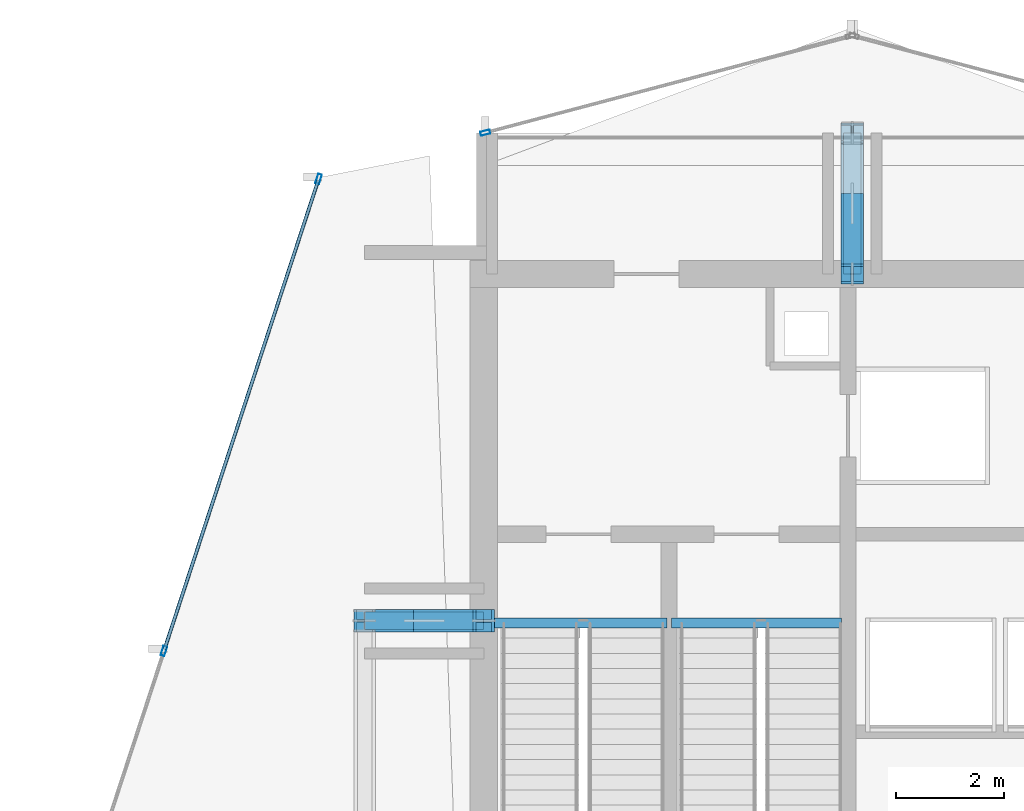
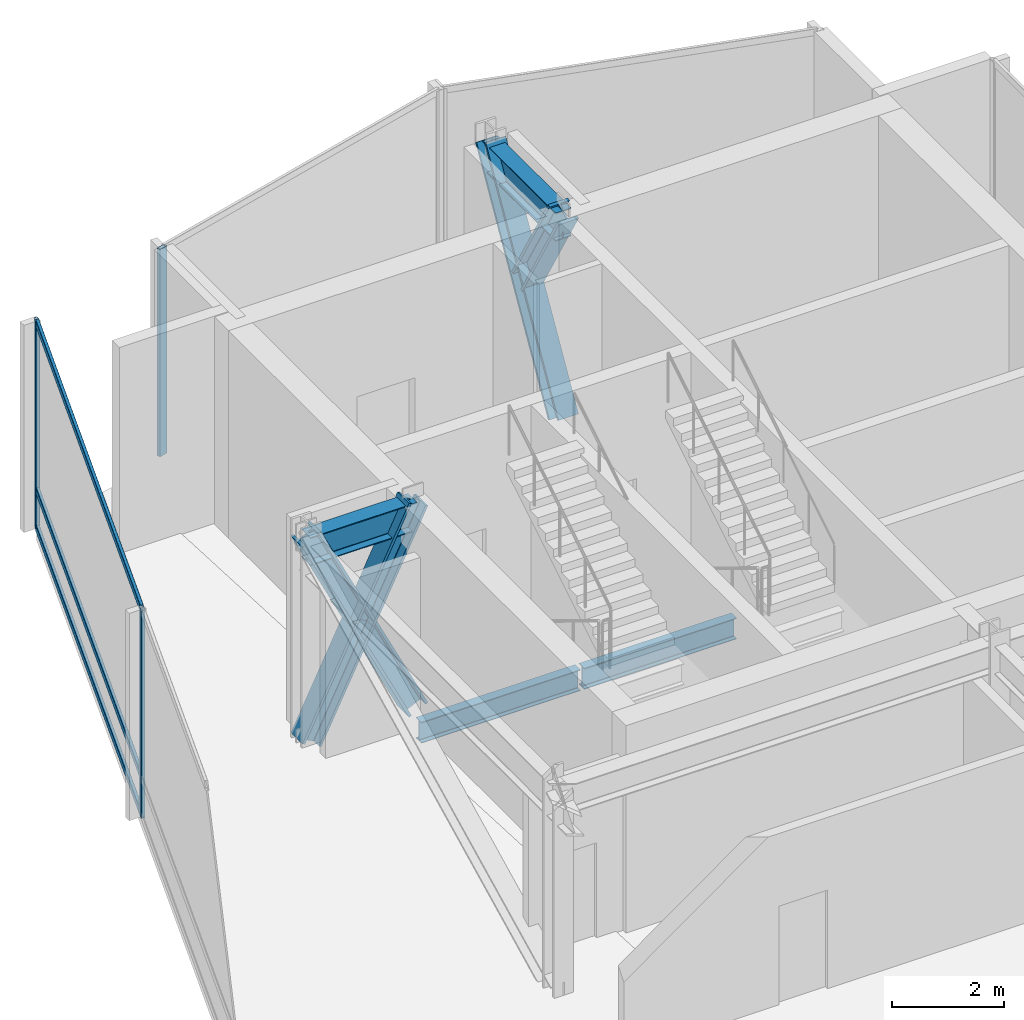
# One storey, part 15 of 30: 11 members, 4 beams, 2 elements without a shape of their own.
"""IFC4 building model written with IfcOpenShell, lengths in metres."""

from ifc_helpers import new_model, si_unit, direction, frame, origin, origin_2d, place, context, subcontext, project, spatial, hollow_rectangle, i_section, extrude, material, layer, layer_set, material_profile, profile_set, type_object, element, aggregate, save


model = new_model("IFC4")

# Units and contexts
model_context = context("Model", 3, precision=1e-05, world=origin(), true_north=direction((0.0, 1.0)))
body_context = subcontext(model_context, "Body", "Model", "MODEL_VIEW")
ifc_project = project(units=[si_unit("LENGTHUNIT", "METRE"), si_unit("AREAUNIT", "SQUARE_METRE"), si_unit("VOLUMEUNIT", "CUBIC_METRE"), si_unit("PLANEANGLEUNIT", "RADIAN"), si_unit("MASSUNIT", "GRAM", prefix="KILO")], contexts=[model_context])

# Site, building, storey
site_placement = place(None, origin())
site = spatial("IfcSite", under=ifc_project, at=site_placement, CompositionType="ELEMENT")
building_placement = place(site_placement, origin())
building = spatial("IfcBuilding", under=site, at=building_placement, Name="Solvaryn Broadcast Tower", CompositionType="ELEMENT")
storey_placement = place(building_placement, frame((0.0, 0.0, 196.39990234375)))
storey = spatial("IfcBuildingStorey", under=building, at=storey_placement, Name="L49", CompositionType="ELEMENT", Elevation=196.39990234375)

# Beams
ifc_material_1 = material(Name="Steel ASTM A992 Grade 50", Category="steel")
ifc_material_profile_1 = material_profile(ifc_material_1, i_section(OverallWidth=0.323974609375, OverallDepth=0.611083984375, WebThickness=0.0126953125, FlangeThickness=0.01904296875, FilletRadius=0.014892578125, at=origin_2d()))
ifc_profile_set_1 = profile_set([ifc_material_profile_1], Name="Steel ASTM A992 Grade 50")
beam_type_1 = type_object("IfcBeamType", Name="BM-B1-W24X104", PredefinedType="BEAM", material=ifc_profile_set_1)
beam_1_placement = place(storey_placement, frame((9.0, 36.0, 4.214599609375), z_axis=(1.0, 0.0, 0.0), x_axis=(0.0, 1.0, 0.0)))
element("IfcBeam", 1, at=beam_1_placement, inside=storey, type_object=beam_type_1, Name="L49 Core Tie Beam CTW1", PredefinedType="BEAM", context=body_context, shape_type="SweptSolid", body=[
    extrude(i_section(OverallWidth=0.323974609375, OverallDepth=0.611083984375, WebThickness=0.0126953125, FlangeThickness=0.01904296875, FilletRadius=0.014892578125, at=origin_2d()), origin(), (0.0, 0.0, 1.0), 2.199951171875),
])
beam_2_placement = place(storey_placement, frame((18.0, 42.39990234375, 4.214599609375), z_axis=(0.0, 1.0, 0.0), x_axis=(-1.0, 0.0, 0.0)))
element("IfcBeam", 2, at=beam_2_placement, inside=storey, type_object=beam_type_1, Name="L49 Core Tie Beam CTW3", PredefinedType="BEAM", context=body_context, shape_type="SweptSolid", body=[
    extrude(i_section(OverallWidth=0.323974609375, OverallDepth=0.611083984375, WebThickness=0.0126953125, FlangeThickness=0.01904296875, FilletRadius=0.014892578125, at=origin_2d()), origin(), (0.0, 0.0, 1.0), 2.60009765625),
])
ifc_material_2 = material(Name="Steel ASTM A992 Grade 50", Category="steel")
ifc_material_profile_2 = material_profile(ifc_material_2, i_section(OverallWidth=0.18994140625, OverallDepth=0.45703125, WebThickness=0.009033203125, FlangeThickness=0.014404296875, FilletRadius=0.011962890625, at=origin_2d()))
ifc_profile_set_2 = profile_set([ifc_material_profile_2], Name="Steel ASTM A992 Grade 50")
beam_type_2 = type_object("IfcBeamType", Name="BM-B4-W18X50", PredefinedType="BEAM", material=ifc_profile_set_2)
beam_3_placement = place(storey_placement, frame((11.300048828125, 35.9599609375, -0.558349609375), z_axis=(1.0, 0.0, 0.0), x_axis=(0.0, 1.0, 0.0)))
element("IfcBeam", 3, at=beam_3_placement, inside=storey, type_object=beam_type_2, Name="L49 ST1 Stair Well Trimmer Beam", PredefinedType="BEAM", context=body_context, shape_type="SweptSolid", body=[
    extrude(i_section(OverallWidth=0.18994140625, OverallDepth=0.45703125, WebThickness=0.009033203125, FlangeThickness=0.014404296875, FilletRadius=0.011962890625, at=origin_2d()), origin(), (0.0, 0.0, 1.0), 3.280029296875),
])
beam_4_placement = place(storey_placement, frame((14.659912109375, 35.9599609375, -0.558349609375), z_axis=(1.0, 0.0, 0.0), x_axis=(0.0, 1.0, 0.0)))
element("IfcBeam", 4, at=beam_4_placement, inside=storey, type_object=beam_type_2, Name="L49 ST2 Stair Well Trimmer Beam", PredefinedType="BEAM", context=body_context, shape_type="SweptSolid", body=[
    extrude(i_section(OverallWidth=0.18994140625, OverallDepth=0.45703125, WebThickness=0.009033203125, FlangeThickness=0.014404296875, FilletRadius=0.011962890625, at=origin_2d()), origin(), (0.0, 0.0, 1.0), 3.14013671875),
])

# Curtain wall, members
ifc_material_3 = material(Name="Aluminium and Terracotta Unitised Curtain Wall", Category="masonry")
ifc_layer = layer(ifc_material_3, 0.199951171875)
ifc_layer_set = layer_set([ifc_layer], Name="CW-SYS2-LOWMID")
curtain_wall_type = type_object("IfcCurtainWallType", Name="CW-SYS2-LOWMID", PredefinedType="NOTDEFINED", material=ifc_layer_set)
curtain_wall_1_placement = place(storey_placement, origin())
curtain_wall_1 = element("IfcCurtainWall", 5, at=curtain_wall_1_placement, inside=storey, type_object=curtain_wall_type, Name="L49 Curtain Wall DR1", PredefinedType="NOTDEFINED")
ifc_material_4 = material(Name="Anodised Aluminium 6063-T6", Category="aluminium")
ifc_material_profile_3 = material_profile(ifc_material_4, hollow_rectangle(XDim=0.074951171875, YDim=0.179931640625, WallThickness=0.00390625, InnerFilletRadius=0.00390625, OuterFilletRadius=0.008056640625, at=origin_2d()))
ifc_profile_set_3 = profile_set([ifc_material_profile_3], Name="Anodised Aluminium 6063-T6")
member_type_1 = type_object("IfcMemberType", Name="CW-MUL-180", PredefinedType="MULLION", material=ifc_profile_set_3)
member_1_placement = place(storey_placement, frame((8.153564453125, 44.153564453125, 0.0), z_axis=(0.0, 0.0, 1.0), x_axis=(0.950226902099, -0.311558717623, 0.0)))
member_1 = element("IfcMember", 6, at=member_1_placement, type_object=member_type_1, Name="CWS2 mullion 1", PredefinedType="MULLION", context=body_context, shape_type="SweptSolid", body=[
    extrude(hollow_rectangle(XDim=0.074951171875, YDim=0.179931640625, WallThickness=0.00390625, InnerFilletRadius=0.00390625, OuterFilletRadius=0.008056640625, at=origin_2d()), origin(), (0.0, 0.0, 1.0), 4.52001953125),
])
member_2_placement = place(storey_placement, frame((5.298095703125, 35.444091796875, 0.0), z_axis=(0.0, 0.0, 1.0), x_axis=(0.950226902099, -0.311558717623, 0.0)))
member_2 = element("IfcMember", 7, at=member_2_placement, type_object=member_type_1, Name="CWS2 mullion 2", PredefinedType="MULLION", context=body_context, shape_type="SweptSolid", body=[
    extrude(hollow_rectangle(XDim=0.074951171875, YDim=0.179931640625, WallThickness=0.00390625, InnerFilletRadius=0.00390625, OuterFilletRadius=0.008056640625, at=origin_2d()), origin(), (0.0, 0.0, 1.0), 4.52001953125),
])

# Curtain wall, member
curtain_wall_2_placement = place(storey_placement, origin())
curtain_wall_2 = element("IfcCurtainWall", 8, at=curtain_wall_2_placement, inside=storey, type_object=curtain_wall_type, Name="L49 Curtain Wall NT2", PredefinedType="NOTDEFINED")
member_3_placement = place(storey_placement, frame((11.22900390625, 45.007568359375, 0.0), z_axis=(0.0, 0.0, 1.0), x_axis=(0.25589256031, -0.966705227863, 0.0)))
member_3 = element("IfcMember", 9, at=member_3_placement, type_object=member_type_1, Name="CWS2 mullion 2", PredefinedType="MULLION", context=body_context, shape_type="SweptSolid", body=[
    extrude(hollow_rectangle(XDim=0.074951171875, YDim=0.179931640625, WallThickness=0.00390625, InnerFilletRadius=0.00390625, OuterFilletRadius=0.008056640625, at=origin_2d()), origin(), (0.0, 0.0, 1.0), 4.52001953125),
])
aggregate(curtain_wall_2, [member_3])

# Member
ifc_material_5 = material(Name="Anodised Aluminium 6063-T6", Category="aluminium")
ifc_material_profile_4 = material_profile(ifc_material_5, hollow_rectangle(XDim=0.06494140625, YDim=0.14990234375, WallThickness=0.00390625, InnerFilletRadius=0.00390625, OuterFilletRadius=0.008056640625, at=origin_2d()))
ifc_profile_set_4 = profile_set([ifc_material_profile_4], Name="Anodised Aluminium 6063-T6")
member_type_2 = type_object("IfcMemberType", Name="CW-TRN-150", PredefinedType="USERDEFINED", material=ifc_profile_set_4)
member_4_placement = place(storey_placement, frame((8.144287109375, 44.125, 0.030029296875), z_axis=(-0.311550669172, -0.950229540973, 0.0), x_axis=(0.950229540973, -0.311550669172, 0.0)))
member_4 = element("IfcMember", 10, at=member_4_placement, type_object=member_type_2, Name="CWS2 transom 1.1", ObjectType="TRANSOM", PredefinedType="USERDEFINED", context=body_context, shape_type="SweptSolid", body=[
    extrude(hollow_rectangle(XDim=0.06494140625, YDim=0.14990234375, WallThickness=0.00390625, InnerFilletRadius=0.00390625, OuterFilletRadius=0.008056640625, at=origin_2d()), origin(), (0.0, 0.0, 1.0), 9.105712890625),
])

member_5_placement = place(storey_placement, frame((8.144287109375, 44.125, 0.85009765625), z_axis=(-0.311550669172, -0.950229540973, 0.0), x_axis=(0.950229540973, -0.311550669172, 0.0)))
member_5 = element("IfcMember", 11, at=member_5_placement, type_object=member_type_2, Name="CWS2 transom 1.2", ObjectType="TRANSOM", PredefinedType="USERDEFINED", context=body_context, shape_type="SweptSolid", body=[
    extrude(hollow_rectangle(XDim=0.06494140625, YDim=0.14990234375, WallThickness=0.00390625, InnerFilletRadius=0.00390625, OuterFilletRadius=0.008056640625, at=origin_2d()), origin(), (0.0, 0.0, 1.0), 9.105712890625),
])

member_6_placement = place(storey_placement, frame((8.144287109375, 44.125, 4.489990234375), z_axis=(-0.311550669172, -0.950229540973, 0.0), x_axis=(0.950229540973, -0.311550669172, 0.0)))
member_6 = element("IfcMember", 12, at=member_6_placement, type_object=member_type_2, Name="CWS2 transom 1.3", ObjectType="TRANSOM", PredefinedType="USERDEFINED", context=body_context, shape_type="SweptSolid", body=[
    extrude(hollow_rectangle(XDim=0.06494140625, YDim=0.14990234375, WallThickness=0.00390625, InnerFilletRadius=0.00390625, OuterFilletRadius=0.008056640625, at=origin_2d()), origin(), (0.0, 0.0, 1.0), 9.105712890625),
])

aggregate(curtain_wall_1, [member_1, member_2, member_4, member_5, member_6])

# Members
ifc_material_6 = material(Name="Steel ASTM A913 Grade 65", Category="steel")
ifc_material_profile_5 = material_profile(ifc_material_6, i_section(OverallWidth=0.412109375, OverallDepth=0.43505859375, WebThickness=0.035888671875, FlangeThickness=0.057373046875, FilletRadius=0.014892578125, at=origin_2d()))
ifc_profile_set_5 = profile_set([ifc_material_profile_5], Name="Steel ASTM A913 Grade 65")
member_type_3 = type_object("IfcMemberType", Name="MB-OUTRIGGER-2", PredefinedType="BRACE", material=ifc_profile_set_5)
member_7_placement = place(storey_placement, frame((11.199951171875, 36.0, 0.02001953125), z_axis=(-0.440784271702, 0.0, 0.897613071328), x_axis=(0.0, -1.0, 0.0)))
element("IfcMember", 13, at=member_7_placement, inside=storey, type_object=member_type_3, Name="L49 Outrigger X-Brace W Continuous Diagonal", PredefinedType="BRACE", context=body_context, shape_type="SweptSolid", body=[
    extrude(i_section(OverallWidth=0.412109375, OverallDepth=0.43505859375, WebThickness=0.035888671875, FlangeThickness=0.057373046875, FilletRadius=0.014892578125, at=origin_2d()), origin(), (0.0, 0.0, 1.0), 4.990966796875),
])
member_8_placement = place(storey_placement, frame((11.199951171875, 36.0, 4.5), z_axis=(-0.440744858159, 0.0, -0.897632424774), x_axis=(0.0, -1.0, 0.0)))
element("IfcMember", 14, at=member_8_placement, inside=storey, type_object=member_type_3, Name="L49 Outrigger X-Brace W Split Diagonal Lower", PredefinedType="BRACE", context=body_context, shape_type="SweptSolid", body=[
    extrude(i_section(OverallWidth=0.412109375, OverallDepth=0.43505859375, WebThickness=0.035888671875, FlangeThickness=0.057373046875, FilletRadius=0.014892578125, at=origin_2d()), origin(), (0.0, 0.0, 1.0), 2.495361328125),
])
member_9_placement = place(storey_placement, frame((10.10009765625, 36.0, 2.260009765625), z_axis=(-0.440823682697, 0.0, -0.897593716987), x_axis=(0.0, -1.0, 0.0)))
element("IfcMember", 15, at=member_9_placement, inside=storey, type_object=member_type_3, Name="L49 Outrigger X-Brace W Split Diagonal Upper", PredefinedType="BRACE", context=body_context, shape_type="SweptSolid", body=[
    extrude(i_section(OverallWidth=0.412109375, OverallDepth=0.43505859375, WebThickness=0.035888671875, FlangeThickness=0.057373046875, FilletRadius=0.014892578125, at=origin_2d()), origin(), (0.0, 0.0, 1.0), 2.49560546875),
])
member_10_placement = place(storey_placement, frame((18.0, 42.39990234375, 0.02001953125), z_axis=(0.0, 0.501964949025, 0.864887963814), x_axis=(-1.0, 0.0, 0.0)))
element("IfcMember", 16, at=member_10_placement, inside=storey, type_object=member_type_3, Name="L49 Outrigger X-Brace N Continuous Diagonal", PredefinedType="BRACE", context=body_context, shape_type="SweptSolid", body=[
    extrude(i_section(OverallWidth=0.412109375, OverallDepth=0.43505859375, WebThickness=0.035888671875, FlangeThickness=0.057373046875, FilletRadius=0.014892578125, at=origin_2d()), origin(), (0.0, 0.0, 1.0), 5.179931640625),
])
member_11_placement = place(storey_placement, frame((18.0, 42.39990234375, 4.5), z_axis=(0.0, 0.501964949025, -0.864887963814), x_axis=(-1.0, 0.0, 0.0)))
element("IfcMember", 17, at=member_11_placement, inside=storey, type_object=member_type_3, Name="L49 Outrigger X-Brace N Split Diagonal Lower", PredefinedType="BRACE", context=body_context, shape_type="SweptSolid", body=[
    extrude(i_section(OverallWidth=0.412109375, OverallDepth=0.43505859375, WebThickness=0.035888671875, FlangeThickness=0.057373046875, FilletRadius=0.014892578125, at=origin_2d()), origin(), (0.0, 0.0, 1.0), 2.58984375),
])

save(model, "model.ifc")
